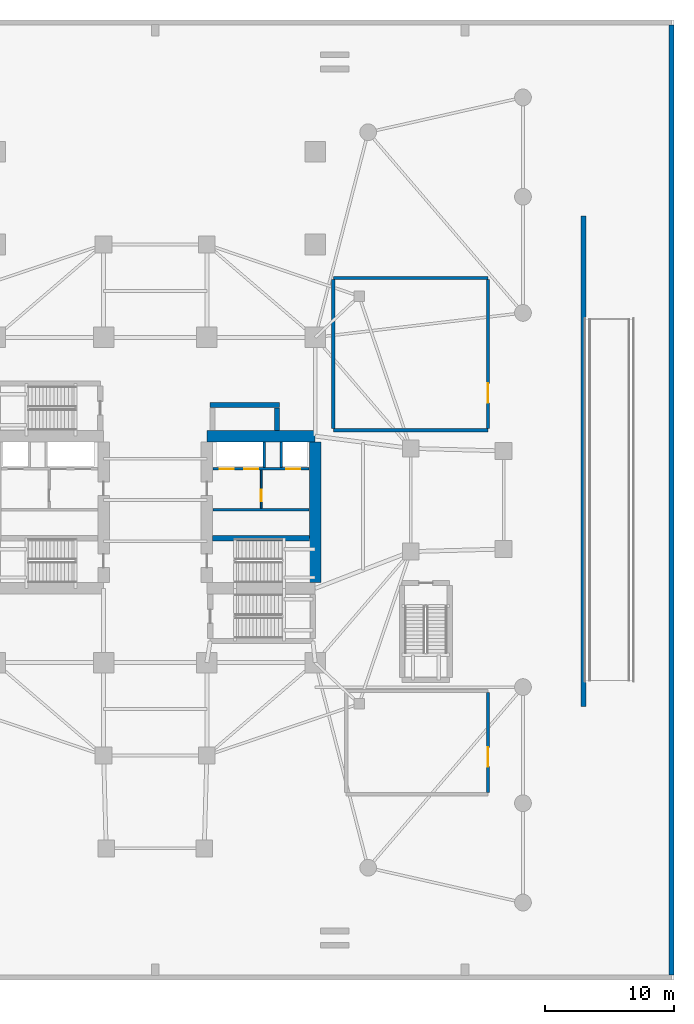
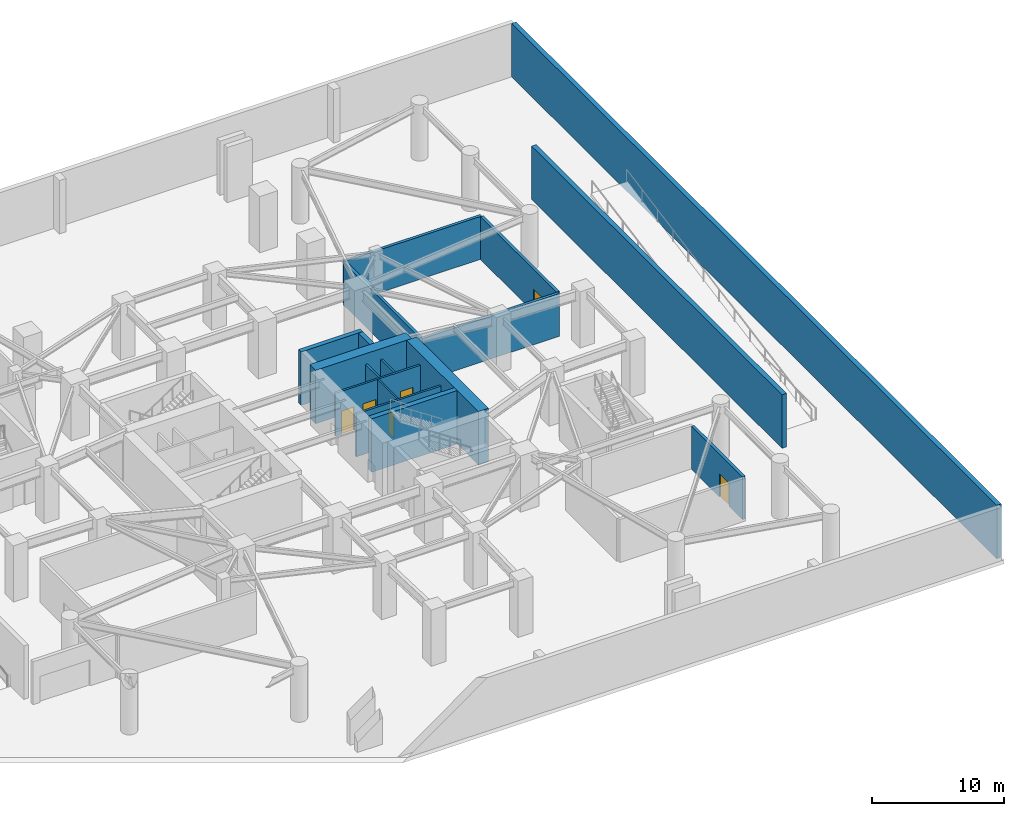
# One storey, part 6 of 12: 17 walls, 6 doors, 6 openings.
"""IFC4 building model written with IfcOpenShell, lengths in metres."""

from ifc_helpers import new_model, si_unit, direction, frame, frame_2d, origin, place, context, subcontext, project, spatial, rectangle, extrude, material, layer, layer_set, type_object, element, fill, save


model = new_model("IFC4")

# Units and contexts
model_context = context("Model", 3, precision=1e-05, world=origin(), true_north=direction((0.0, 1.0)))
body_context = subcontext(model_context, "Body", "Model", "MODEL_VIEW")
ifc_project = project(units=[si_unit("LENGTHUNIT", "METRE"), si_unit("AREAUNIT", "SQUARE_METRE"), si_unit("VOLUMEUNIT", "CUBIC_METRE"), si_unit("PLANEANGLEUNIT", "RADIAN"), si_unit("MASSUNIT", "GRAM", prefix="KILO")], contexts=[model_context])

# Site, building, storey
site_placement = place(None, origin())
site = spatial("IfcSite", under=ifc_project, at=site_placement, CompositionType="ELEMENT")
building_placement = place(site_placement, origin())
building = spatial("IfcBuilding", under=site, at=building_placement, Name="Qingluan Cross Belvedere", CompositionType="ELEMENT")
storey_placement = place(building_placement, frame((0.0, 0.0, -5.199951171875)))
storey = spatial("IfcBuildingStorey", under=building, at=storey_placement, Name="B1", CompositionType="ELEMENT", Elevation=-5.199951171875)

# Walls
ifc_material_1 = material(Name="Concrete C50", Category="concrete")
ifc_layer_1 = layer(ifc_material_1, 0.449951171875, Name="CoreShearWall_450")
ifc_layer_set_1 = layer_set([ifc_layer_1], Name="Concrete C50")
wall_type_1 = type_object("IfcWallType", Name="CoreShearWall_450", PredefinedType="SHEAR", material=ifc_layer_set_1)
wall_1_placement = place(storey_placement, frame((33.199951171875, -16.0, 0.0), z_axis=(0.0, 0.0, 1.0), x_axis=(0.0, 1.0, 0.0)))
element("IfcWall", 1, at=wall_1_placement, inside=storey, type_object=wall_type_1, Name="Vehicle ramp structural support wall E B1", PredefinedType="SHEAR", context=body_context, shape_type="SweptSolid", body=[
    extrude(rectangle(XDim=38.0, YDim=0.39990234375, at=frame_2d((19.0, 0.0))), origin(), (0.0, 0.0, 1.0), 4.949951171875),
])
wall_2_placement = place(storey_placement, frame((4.455078125, -2.9599609375, 0.0), z_axis=(0.0, 0.0, 1.0), x_axis=(1.0, 0.0, 0.0)))
element("IfcWall", 2, at=wall_2_placement, inside=storey, type_object=wall_type_1, Name="Split core E shear wall B1-M", PredefinedType="SHEAR", context=body_context, shape_type="SweptSolid", body=[
    extrude(rectangle(XDim=7.489990234375, YDim=0.449951171875, at=frame_2d((3.7451171875, 0.0))), origin(), (0.0, 0.0, 1.0), 4.949951171875),
])
wall_3_placement = place(storey_placement, frame((4.25, 7.35009765625, 0.0), z_axis=(0.0, 0.0, 1.0), x_axis=(1.0, 0.0, 0.0)))
element("IfcWall", 3, at=wall_3_placement, inside=storey, type_object=wall_type_1, Name="Express shuttle core wall B1-N", PredefinedType="SHEAR", context=body_context, shape_type="SweptSolid", body=[
    extrude(rectangle(XDim=5.39990234375, YDim=0.39990234375, at=frame_2d((2.699951171875, 0.0))), origin(), (0.0, 0.0, 1.0), 4.949951171875),
])
wall_4_placement = place(storey_placement, frame((9.449951171875, 5.405029296875, 0.0), z_axis=(0.0, 0.0, 1.0), x_axis=(0.0, 1.0, 0.0)))
element("IfcWall", 4, at=wall_4_placement, inside=storey, type_object=wall_type_1, Name="Express shuttle core wall B1-E", PredefinedType="SHEAR", context=body_context, shape_type="SweptSolid", body=[
    extrude(rectangle(XDim=1.73486328125, YDim=0.39990234375, at=frame_2d((0.867431640625, 0.0))), origin(), (0.0, 0.0, 1.0), 4.949951171875),
])
ifc_material_2 = material(Name="Concrete C70", Category="concrete")
ifc_layer_2 = layer(ifc_material_2, 0.89990234375, Name="CoreShearWall_900")
ifc_layer_set_2 = layer_set([ifc_layer_2], Name="Concrete C70")
wall_type_2 = type_object("IfcWallType", Name="CoreShearWall_900", PredefinedType="SHEAR", material=ifc_layer_set_2)
wall_5_placement = place(storey_placement, frame((4.0, 4.949951171875, 0.0), z_axis=(0.0, 0.0, 1.0), x_axis=(1.0, 0.0, 0.0)))
element("IfcWall", 5, at=wall_5_placement, inside=storey, type_object=wall_type_2, Name="Split core E shear wall B1-N", PredefinedType="SHEAR", context=body_context, shape_type="SweptSolid", body=[
    extrude(rectangle(XDim=8.39990234375, YDim=0.89990234375, at=frame_2d((4.199951171875, 0.0))), origin(), (0.0, 0.0, 1.0), 4.949951171875),
])
wall_6_placement = place(storey_placement, frame((12.39990234375, -6.39501953125, 0.0), z_axis=(0.0, 0.0, 1.0), x_axis=(0.0, 1.0, 0.0)))
element("IfcWall", 6, at=wall_6_placement, inside=storey, type_object=wall_type_2, Name="Split core E shear wall B1-E", PredefinedType="SHEAR", context=body_context, shape_type="SweptSolid", body=[
    extrude(rectangle(XDim=10.89013671875, YDim=0.89990234375, at=frame_2d((5.445068359375, 0.0))), origin(), (0.0, 0.0, 1.0), 4.949951171875),
])

# Wall, opening, door
ifc_material_3 = material(Name="Concrete C40", Category="concrete")
ifc_layer_3 = layer(ifc_material_3, 0.300048828125, Name="FireCompartmentWall_300")
ifc_layer_set_3 = layer_set([ifc_layer_3], Name="Concrete C40")
wall_type_3 = type_object("IfcWallType", Name="FireCompartmentWall_300", PredefinedType="SOLIDWALL", material=ifc_layer_set_3)
wall_7_placement = place(storey_placement, frame((25.800048828125, -22.669921875, 0.0), z_axis=(0.0, 0.0, 1.0), x_axis=(0.0, 1.0, 0.0)))
wall_7 = element("IfcWall", 7, at=wall_7_placement, inside=storey, type_object=wall_type_3, Name="Partition B1:laundry_boh:E", PredefinedType="SOLIDWALL", context=body_context, shape_type="SweptSolid", body=[
    extrude(rectangle(XDim=7.739990234375, YDim=0.25, at=frame_2d((3.8701171875, 0.0))), origin(), (0.0, 0.0, 1.0), 3.969970703125),
])
opening_1_placement = place(wall_7_placement, frame((2.0, 0.0, 0.0)))
opening_1 = element("IfcOpeningElement", 8, at=opening_1_placement, cuts=wall_7, Name="Opening FD-A15", PredefinedType="OPENING", context=body_context, shape_type="SweptSolid", body=[
    extrude(rectangle(XDim=1.5, YDim=2.14990234375, at=frame_2d((0.75, 1.074951171875))), frame((0.0, 0.135009765625, 0.0), z_axis=(0.0, -1.0, 0.0), x_axis=(1.0, 0.0, 0.0)), (0.0, 0.0, 1.0), 0.27001953125),
])
ifc_material_4 = material(Name="Insulated steel Class A double fire door", Category="steel")
door_type_1 = type_object("IfcDoorType", Name="PlantDoubleFireDoor_FDA", OperationType="DOUBLE_DOOR_SINGLE_SWING", PredefinedType="DOOR", material=ifc_material_4)
door_1_placement = place(opening_1_placement, origin())
door_1 = element("IfcDoor", 9, at=door_1_placement, inside=storey, type_object=door_type_1, Name="Central hotel laundry room B1 door", OperationType="DOUBLE_DOOR_SINGLE_SWING", OverallHeight=2.14990234375, OverallWidth=1.5, PredefinedType="DOOR", context=body_context, shape_type="SweptSolid", body=[
    extrude(rectangle(XDim=1.5, YDim=2.14990234375, at=frame_2d((0.75, 1.074951171875))), frame((0.0, 0.02490234375, 0.0), z_axis=(0.0, -1.0, 0.0), x_axis=(1.0, 0.0, 0.0)), (0.0, 0.0, 1.0), 0.050048828125),
])
fill(opening_1, door_1)

# Walls
for number, where, z_axis, x_axis, name in (
    (10, (13.800048828125, 5.39990234375, 0.0), (0.0, 0.0, 1.0), (1.0, 0.0, 0.0), "Partition B1:bicycle_refuse:S"),
    (11, (13.800048828125, 17.199951171875, 0.0), (0.0, 0.0, 1.0), (1.0, 0.0, 0.0), "Partition B1:bicycle_refuse:N"),
):
    element("IfcWall", number, at=place(storey_placement, frame(where, z_axis=z_axis, x_axis=x_axis)), inside=storey, type_object=wall_type_3, Name=name, PredefinedType="SOLIDWALL", context=body_context, shape_type="SweptSolid", body=[
        extrude(rectangle(XDim=12.0, YDim=0.25, at=frame_2d((6.0, 0.0))), origin(), (0.0, 0.0, 1.0), 3.969970703125),
    ])
wall_8_placement = place(storey_placement, frame((13.800048828125, 5.530029296875, 0.0), z_axis=(0.0, 0.0, 1.0), x_axis=(0.0, 1.0, 0.0)))
element("IfcWall", 12, at=wall_8_placement, inside=storey, type_object=wall_type_3, Name="Partition B1:bicycle_refuse:W", PredefinedType="SOLIDWALL", context=body_context, shape_type="SweptSolid", body=[
    extrude(rectangle(XDim=11.5400390625, YDim=0.25, at=frame_2d((5.77001953125, 0.0))), origin(), (0.0, 0.0, 1.0), 3.969970703125),
])

# Wall, opening, door
wall_9_placement = place(storey_placement, frame((25.800048828125, 5.530029296875, 0.0), z_axis=(0.0, 0.0, 1.0), x_axis=(0.0, 1.0, 0.0)))
wall_9 = element("IfcWall", 13, at=wall_9_placement, inside=storey, type_object=wall_type_3, Name="Partition B1:bicycle_refuse:E", PredefinedType="SOLIDWALL", context=body_context, shape_type="SweptSolid", body=[
    extrude(rectangle(XDim=11.5400390625, YDim=0.25, at=frame_2d((5.77001953125, 0.0))), origin(), (0.0, 0.0, 1.0), 3.969970703125),
])
opening_2_placement = place(wall_9_placement, frame((2.0, 0.0, 0.0)))
opening_2 = element("IfcOpeningElement", 14, at=opening_2_placement, cuts=wall_9, Name="Opening FD-A15", PredefinedType="OPENING", context=body_context, shape_type="SweptSolid", body=[
    extrude(rectangle(XDim=1.5, YDim=2.14990234375, at=frame_2d((0.75, 1.074951171875))), frame((0.0, 0.135009765625, 0.0), z_axis=(0.0, -1.0, 0.0), x_axis=(1.0, 0.0, 0.0)), (0.0, 0.0, 1.0), 0.27001953125),
])
door_2_placement = place(opening_2_placement, origin())
door_2 = element("IfcDoor", 15, at=door_2_placement, inside=storey, type_object=door_type_1, Name="Bicycle and refuse storage room B1 door", OperationType="DOUBLE_DOOR_SINGLE_SWING", OverallHeight=2.14990234375, OverallWidth=1.5, PredefinedType="DOOR", context=body_context, shape_type="SweptSolid", body=[
    extrude(rectangle(XDim=1.5, YDim=2.14990234375, at=frame_2d((0.75, 1.074951171875))), frame((0.0, 0.02490234375, 0.0), z_axis=(0.0, -1.0, 0.0), x_axis=(1.0, 0.0, 0.0)), (0.0, 0.0, 1.0), 0.050048828125),
])
fill(opening_2, door_2)

# Wall
ifc_material_5 = material(Name="Concrete C40", Category="concrete")
ifc_layer_4 = layer(ifc_material_5, 0.39990234375, Name="RetainingWall_400")
ifc_layer_set_4 = layer_set([ifc_layer_4], Name="Concrete C40")
wall_type_4 = type_object("IfcWallType", Name="RetainingWall_400", PredefinedType="USERDEFINED", material=ifc_layer_set_4)
wall_10_placement = place(storey_placement, frame((40.0, -36.794921875, 0.0), z_axis=(0.0, 0.0, 1.0), x_axis=(0.0, 1.0, 0.0)))
element("IfcWall", 16, at=wall_10_placement, inside=storey, type_object=wall_type_4, Name="Basement perimeter retaining wall B1-E", ObjectType="RETAININGWALL", PredefinedType="USERDEFINED", context=body_context, shape_type="SweptSolid", body=[
    extrude(rectangle(XDim=73.58984375, YDim=0.39990234375, at=frame_2d((36.794921875, 0.0))), origin(), (0.0, 0.0, 1.0), 4.949951171875),
])

# Wall, openings, doors
ifc_material_6 = material(Name="Concrete C40", Category="concrete")
ifc_layer_5 = layer(ifc_material_6, 0.219970703125, Name="ShaftEnclosureWall_250")
ifc_layer_set_5 = layer_set([ifc_layer_5], Name="Concrete C40")
wall_type_5 = type_object("IfcWallType", Name="ShaftEnclosureWall_250", PredefinedType="SOLIDWALL", material=ifc_layer_set_5)
wall_11_placement = place(storey_placement, frame((4.47998046875, 2.409912109375, 0.0), z_axis=(0.0, 0.0, 1.0), x_axis=(1.0, 0.0, 0.0)))
wall_11 = element("IfcWall", 17, at=wall_11_placement, inside=storey, type_object=wall_type_5, Name="Core-E north hoistway wall B1", PredefinedType="SOLIDWALL", context=body_context, shape_type="SweptSolid", body=[
    extrude(rectangle(XDim=7.419921875, YDim=0.179931640625, at=frame_2d((3.7099609375, 0.0))), origin(), (0.0, 0.0, 1.0), 3.969970703125),
])
opening_3_placement = place(wall_11_placement, frame((5.669921875, 0.0, 0.0)))
opening_3 = element("IfcOpeningElement", 18, at=opening_3_placement, cuts=wall_11, Name="Opening LD-11", PredefinedType="OPENING", context=body_context, shape_type="SweptSolid", body=[
    extrude(rectangle(XDim=1.10009765625, YDim=2.14990234375, at=frame_2d((0.550048828125, 1.074951171875))), frame((0.0, 0.099853515625, 0.0), z_axis=(0.0, -1.0, 0.0), x_axis=(1.0, 0.0, 0.0)), (0.0, 0.0, 1.0), 0.199951171875),
])
opening_4_placement = place(wall_11_placement, frame((0.52001953125, 0.0, 0.0)))
opening_4 = element("IfcOpeningElement", 19, at=opening_4_placement, cuts=wall_11, Name="Opening LD-11", PredefinedType="OPENING", context=body_context, shape_type="SweptSolid", body=[
    extrude(rectangle(XDim=1.10009765625, YDim=2.14990234375, at=frame_2d((0.550048828125, 1.074951171875))), frame((0.0, 0.099853515625, 0.0), z_axis=(0.0, -1.0, 0.0), x_axis=(1.0, 0.0, 0.0)), (0.0, 0.0, 1.0), 0.199951171875),
])
opening_5_placement = place(wall_11_placement, frame((2.419921875, 0.0, 0.0)))
opening_5 = element("IfcOpeningElement", 20, at=opening_5_placement, cuts=wall_11, Name="Opening LD-11", PredefinedType="OPENING", context=body_context, shape_type="SweptSolid", body=[
    extrude(rectangle(XDim=1.10009765625, YDim=2.14990234375, at=frame_2d((0.550048828125, 1.074951171875))), frame((0.0, 0.099853515625, 0.0), z_axis=(0.0, -1.0, 0.0), x_axis=(1.0, 0.0, 0.0)), (0.0, 0.0, 1.0), 0.199951171875),
])
ifc_material_7 = material(Name="Brushed stainless steel centre-opening lift landing door", Category="steel")
door_type_2 = type_object("IfcDoorType", Name="LiftLandingSlidingDoor_1100", OperationType="DOUBLE_DOOR_SLIDING", PredefinedType="DOOR", material=ifc_material_7)
door_3_placement = place(opening_3_placement, origin())
door_3 = element("IfcDoor", 21, at=door_3_placement, inside=storey, type_object=door_type_2, Name="Lift landing sliding door FL2 B1", OperationType="DOUBLE_DOOR_SLIDING", OverallHeight=2.14990234375, OverallWidth=1.10009765625, PredefinedType="DOOR", context=body_context, shape_type="SweptSolid", body=[
    extrude(rectangle(XDim=1.10009765625, YDim=2.14990234375, at=frame_2d((0.550048828125, 1.074951171875))), frame((0.0, 0.02490234375, 0.0), z_axis=(0.0, -1.0, 0.0), x_axis=(1.0, 0.0, 0.0)), (0.0, 0.0, 1.0), 0.050048828125),
])
fill(opening_3, door_3)
door_4_placement = place(opening_4_placement, origin())
door_4 = element("IfcDoor", 22, at=door_4_placement, inside=storey, type_object=door_type_2, Name="Lift landing sliding door LP3 B1", OperationType="DOUBLE_DOOR_SLIDING", OverallHeight=2.14990234375, OverallWidth=1.10009765625, PredefinedType="DOOR", context=body_context, shape_type="SweptSolid", body=[
    extrude(rectangle(XDim=1.10009765625, YDim=2.14990234375, at=frame_2d((0.550048828125, 1.074951171875))), frame((0.0, 0.02490234375, 0.0), z_axis=(0.0, -1.0, 0.0), x_axis=(1.0, 0.0, 0.0)), (0.0, 0.0, 1.0), 0.050048828125),
])
fill(opening_4, door_4)
door_5_placement = place(opening_5_placement, origin())
door_5 = element("IfcDoor", 23, at=door_5_placement, inside=storey, type_object=door_type_2, Name="Lift landing sliding door LP4 B1", OperationType="DOUBLE_DOOR_SLIDING", OverallHeight=2.14990234375, OverallWidth=1.10009765625, PredefinedType="DOOR", context=body_context, shape_type="SweptSolid", body=[
    extrude(rectangle(XDim=1.10009765625, YDim=2.14990234375, at=frame_2d((0.550048828125, 1.074951171875))), frame((0.0, 0.02490234375, 0.0), z_axis=(0.0, -1.0, 0.0), x_axis=(1.0, 0.0, 0.0)), (0.0, 0.0, 1.0), 0.050048828125),
])
fill(opening_5, door_5)

# Walls
wall_12_placement = place(storey_placement, frame((4.47998046875, -0.75, 0.0), z_axis=(0.0, 0.0, 1.0), x_axis=(1.0, 0.0, 0.0)))
element("IfcWall", 24, at=wall_12_placement, inside=storey, type_object=wall_type_5, Name="Core-E mid hoistway wall B1", PredefinedType="SOLIDWALL", context=body_context, shape_type="SweptSolid", body=[
    extrude(rectangle(XDim=7.419921875, YDim=0.179931640625, at=frame_2d((3.7099609375, 0.0))), origin(), (0.0, 0.0, 1.0), 3.969970703125),
])
for number, where, z_axis, x_axis, name in (
    (25, (8.43994140625, 2.5, 0.0), (0.0, 0.0, 1.0), (0.0, 1.0, 0.0), "Hoistway enclosure divider LP4E B1"),
    (26, (9.760009765625, 2.5, 0.0), (0.0, 0.0, 1.0), (0.0, 1.0, 0.0), "Hoistway enclosure divider FL2W B1"),
):
    element("IfcWall", number, at=place(storey_placement, frame(where, z_axis=z_axis, x_axis=x_axis)), inside=storey, type_object=wall_type_5, Name=name, PredefinedType="SOLIDWALL", context=body_context, shape_type="SweptSolid", body=[
        extrude(rectangle(XDim=1.989990234375, YDim=0.179931640625, at=frame_2d((0.9951171875, 0.0))), origin(), (0.0, 0.0, 1.0), 3.969970703125),
    ])

# Wall, opening, door
wall_13_placement = place(storey_placement, frame((8.219970703125, -0.64990234375, 0.0), z_axis=(0.0, 0.0, 1.0), x_axis=(0.0, 1.0, 0.0)))
wall_13 = element("IfcWall", 27, at=wall_13_placement, inside=storey, type_object=wall_type_5, Name="Core-E service corridor wall B1", PredefinedType="SOLIDWALL", context=body_context, shape_type="SweptSolid", body=[
    extrude(rectangle(XDim=2.9599609375, YDim=0.139892578125, at=frame_2d((1.47998046875, 0.0))), origin(), (0.0, 0.0, 1.0), 3.969970703125),
])
opening_6_placement = place(wall_13_placement, frame((0.550048828125, 0.0, 0.0)))
opening_6 = element("IfcOpeningElement", 28, at=opening_6_placement, cuts=wall_13, Name="Opening FD-B10", PredefinedType="OPENING", context=body_context, shape_type="SweptSolid", body=[
    extrude(rectangle(XDim=0.8798828125, YDim=2.10009765625, at=frame_2d((0.43994140625, 1.050048828125))), frame((0.0, 0.079833984375, 0.0), z_axis=(0.0, -1.0, 0.0), x_axis=(1.0, 0.0, 0.0)), (0.0, 0.0, 1.0), 0.159912109375),
])
ifc_material_8 = material(Name="Steel Class B service fire door", Category="steel")
door_type_3 = type_object("IfcDoorType", Name="RiserServiceFireDoor_FDB", OperationType="NOTDEFINED", PredefinedType="DOOR", material=ifc_material_8)
door_6_placement = place(opening_6_placement, origin())
door_6 = element("IfcDoor", 29, at=door_6_placement, inside=storey, type_object=door_type_3, Name="Core-E service room door B1", OperationType="SINGLE_SWING_LEFT", OverallHeight=2.10009765625, OverallWidth=0.8798828125, PredefinedType="DOOR", context=body_context, shape_type="SweptSolid", body=[
    extrude(rectangle(XDim=0.8798828125, YDim=2.10009765625, at=frame_2d((0.43994140625, 1.050048828125))), frame((0.0, 0.02490234375, 0.0), z_axis=(0.0, -1.0, 0.0), x_axis=(1.0, 0.0, 0.0)), (0.0, 0.0, 1.0), 0.050048828125),
])
fill(opening_6, door_6)

save(model, "model.ifc")
